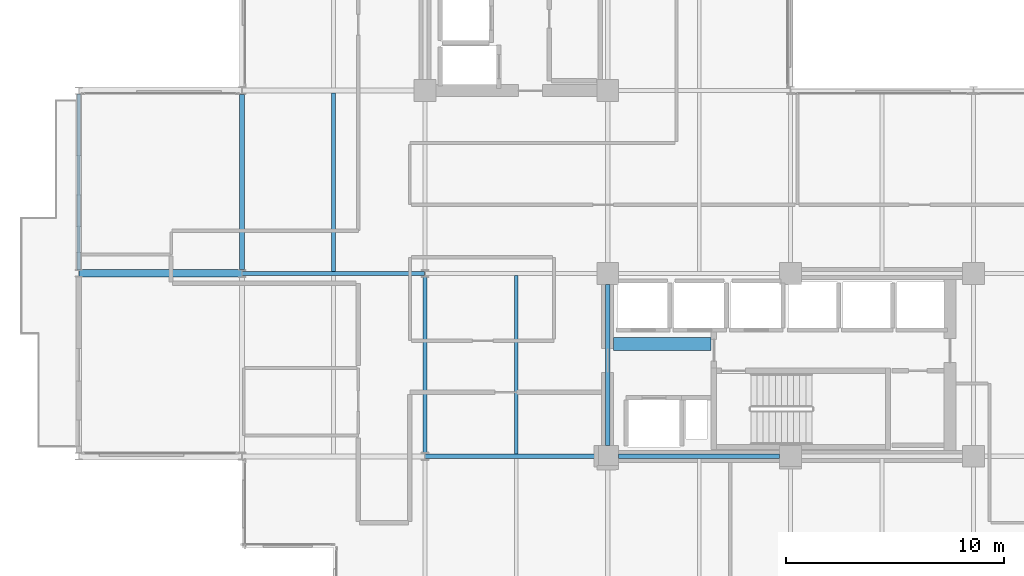
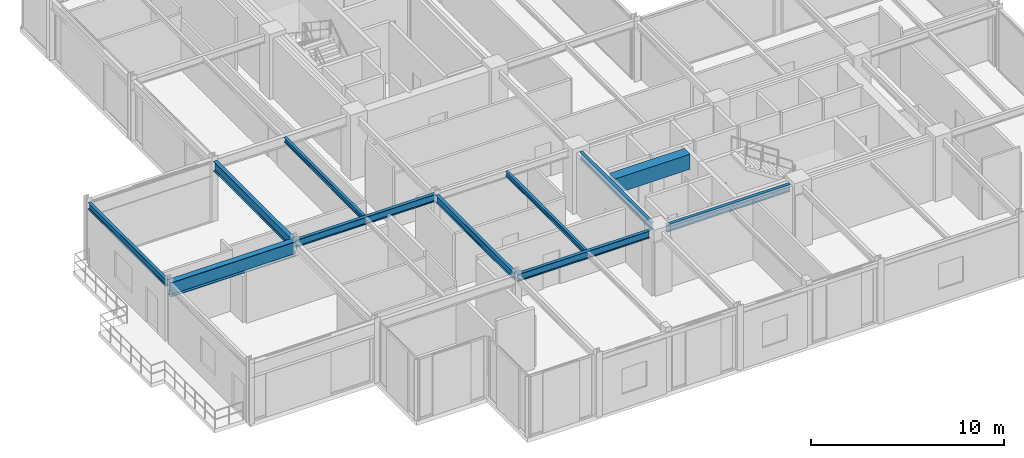
# One storey, part 8 of 29: 11 beams.
"""IFC4 building model written with IfcOpenShell, lengths in metres."""

from ifc_helpers import new_model, si_unit, direction, frame, origin, origin_2d, place, context, subcontext, project, spatial, rectangle, i_section, extrude, material, material_profile, profile_set, type_object, element, save


model = new_model("IFC4")

# Units and contexts
model_context = context("Model", 3, precision=1e-05, world=origin(), true_north=direction((0.0, 1.0)))
body_context = subcontext(model_context, "Body", "Model", "MODEL_VIEW")
ifc_project = project(units=[si_unit("LENGTHUNIT", "METRE"), si_unit("AREAUNIT", "SQUARE_METRE"), si_unit("VOLUMEUNIT", "CUBIC_METRE"), si_unit("PLANEANGLEUNIT", "RADIAN"), si_unit("MASSUNIT", "GRAM", prefix="KILO")], contexts=[model_context])

# Site, building, storey
site_placement = place(None, origin())
site = spatial("IfcSite", under=ifc_project, at=site_placement, CompositionType="ELEMENT")
building_placement = place(site_placement, origin())
building = spatial("IfcBuilding", under=site, at=building_placement, Name="Nerrivon Quay Data Exchange", CompositionType="ELEMENT")
storey_placement = place(building_placement, frame((0.0, 0.0, 196.0)))
storey = spatial("IfcBuildingStorey", under=building, at=storey_placement, Name="L46", CompositionType="ELEMENT", Elevation=196.0)

# Beams
ifc_material_1 = material(Name="Steel Grade 350", Category="steel")
ifc_material_profile_1 = material_profile(ifc_material_1, i_section(OverallWidth=0.35009765625, OverallDepth=0.909912109375, WebThickness=0.011962890625, FlangeThickness=0.02490234375, at=origin_2d()), Name="900WB218")
ifc_profile_set_1 = profile_set([ifc_material_profile_1], Name="Steel Grade 350")
beam_type_1 = type_object("IfcBeamType", Name="BM-CANT-900WB", PredefinedType="USERDEFINED", material=ifc_profile_set_1)
beam_1_placement = place(storey_placement, frame((-0.010009765625, 16.800048828125, 3.3701171875), z_axis=(-1.0, 0.0, 0.0), x_axis=(0.0, -1.0, 0.0)))
element("IfcBeam", 1, at=beam_1_placement, inside=storey, type_object=beam_type_1, Name="L46 West Hooked Cantilever Girder Y=16.8", ObjectType="TRANSFER", PredefinedType="USERDEFINED", context=body_context, shape_type="SweptSolid", body=[
    extrude(i_section(OverallWidth=0.35009765625, OverallDepth=0.909912109375, WebThickness=0.011962890625, FlangeThickness=0.02490234375, at=origin_2d()), origin(), (0.0, 0.0, 1.0), 7.482177734375),
])
ifc_material_2 = material(Name="Concrete N50 (50 MPa)", Category="concrete")
ifc_material_profile_2 = material_profile(ifc_material_2, rectangle(XDim=0.60009765625, YDim=0.949951171875, at=origin_2d()), Name="RC-CB-600x950")
ifc_profile_set_2 = profile_set([ifc_material_profile_2], Name="Concrete N50 (50 MPa)")
beam_type_2 = type_object("IfcBeamType", Name="BM-CB2-600x950", PredefinedType="LINTEL", material=ifc_profile_set_2)
beam_2_placement = place(storey_placement, frame((17.074951171875, 13.550048828125, 3.35009765625), z_axis=(1.0, 0.0, 0.0), x_axis=(0.0, 1.0, 0.0)))
element("IfcBeam", 2, at=beam_2_placement, inside=storey, type_object=beam_type_2, Name="L46 East Core Coupling Beam", PredefinedType="LINTEL", context=body_context, shape_type="SweptSolid", body=[
    extrude(rectangle(XDim=0.60009765625, YDim=0.949951171875, at=origin_2d()), origin(), (0.0, 0.0, 1.0), 4.47998046875),
])
ifc_material_profile_3 = material_profile(ifc_material_1, i_section(OverallWidth=0.22802734375, OverallDepth=0.60205078125, WebThickness=0.010498046875, FlangeThickness=0.014892578125, FilletRadius=0.013916015625, at=origin_2d()), Name="610UB101")
ifc_profile_set_3 = profile_set([ifc_material_profile_3], Name="Steel Grade 350")
beam_type_3 = type_object("IfcBeamType", Name="BM-G2-610UB101", PredefinedType="BEAM", material=ifc_profile_set_3)
beam_3_placement = place(storey_placement, frame((0.0, 16.97509765625, 3.52392578125), z_axis=(0.0, 1.0, 0.0), x_axis=(-1.0, 0.0, 0.0)))
element("IfcBeam", 3, at=beam_3_placement, inside=storey, type_object=beam_type_3, Name="L46 NS Girder X=0.0 (16.8..25.2)", PredefinedType="BEAM", context=body_context, shape_type="SweptSolid", body=[
    extrude(i_section(OverallWidth=0.22802734375, OverallDepth=0.60205078125, WebThickness=0.010498046875, FlangeThickness=0.014892578125, FilletRadius=0.013916015625, at=origin_2d()), origin(), (0.0, 0.0, 1.0), 8.0498046875),
])
ifc_material_profile_4 = material_profile(ifc_material_1, i_section(OverallWidth=0.19091796875, OverallDepth=0.4599609375, WebThickness=0.010009765625, FlangeThickness=0.01611328125, FilletRadius=0.011474609375, at=origin_2d()), Name="460UB82.1")
ifc_profile_set_4 = profile_set([ifc_material_profile_4], Name="Steel Grade 350")
beam_type_4 = type_object("IfcBeamType", Name="BM-G5-460UB82", PredefinedType="BEAM", material=ifc_profile_set_4)
beam_4_placement = place(storey_placement, frame((8.409912109375, 8.39990234375, 3.594970703125), z_axis=(1.0, 0.0, 0.0), x_axis=(0.0, 1.0, 0.0)))
element("IfcBeam", 4, at=beam_4_placement, inside=storey, type_object=beam_type_4, Name="L46 EW Girder Y=8.4 (8.4..16.8)", PredefinedType="BEAM", context=body_context, shape_type="SweptSolid", body=[
    extrude(i_section(OverallWidth=0.19091796875, OverallDepth=0.4599609375, WebThickness=0.010009765625, FlangeThickness=0.01611328125, FilletRadius=0.011474609375, at=origin_2d()), origin(), (0.0, 0.0, 1.0), 7.89013671875),
])
beam_5_placement = place(storey_placement, frame((17.300048828125, 8.39990234375, 3.594970703125), z_axis=(1.0, 0.0, 0.0), x_axis=(0.0, 1.0, 0.0)))
element("IfcBeam", 5, at=beam_5_placement, inside=storey, type_object=beam_type_4, Name="L46 EW Girder Y=8.4 (16.8..25.2)", PredefinedType="BEAM", context=body_context, shape_type="SweptSolid", body=[
    extrude(i_section(OverallWidth=0.19091796875, OverallDepth=0.4599609375, WebThickness=0.010009765625, FlangeThickness=0.01611328125, FilletRadius=0.011474609375, at=origin_2d()), origin(), (0.0, 0.0, 1.0), 7.39990234375),
])
beam_6_placement = place(storey_placement, frame((0.010009765625, 16.800048828125, 3.594970703125), z_axis=(1.0, 0.0, 0.0), x_axis=(0.0, 1.0, 0.0)))
element("IfcBeam", 6, at=beam_6_placement, inside=storey, type_object=beam_type_4, Name="L46 EW Girder Y=16.8 (0.0..8.4)", PredefinedType="BEAM", context=body_context, shape_type="SweptSolid", body=[
    extrude(i_section(OverallWidth=0.19091796875, OverallDepth=0.4599609375, WebThickness=0.010009765625, FlangeThickness=0.01611328125, FilletRadius=0.011474609375, at=origin_2d()), origin(), (0.0, 0.0, 1.0), 8.3798828125),
])
ifc_material_profile_5 = material_profile(ifc_material_1, i_section(OverallWidth=0.18994140625, OverallDepth=0.4541015625, WebThickness=0.008544921875, FlangeThickness=0.0126953125, FilletRadius=0.011474609375, at=origin_2d()), Name="460UB67.1")
ifc_profile_set_5 = profile_set([ifc_material_profile_5], Name="Steel Grade 350")
beam_type_5 = type_object("IfcBeamType", Name="BM-G6-460UB67", PredefinedType="BEAM", material=ifc_profile_set_5)
beam_7_placement = place(storey_placement, frame((8.39990234375, 8.574951171875, 3.597900390625), z_axis=(0.0, 1.0, 0.0), x_axis=(-1.0, 0.0, 0.0)))
element("IfcBeam", 7, at=beam_7_placement, inside=storey, type_object=beam_type_5, Name="L46 NS Girder X=8.4 (8.4..16.8)", PredefinedType="BEAM", context=body_context, shape_type="SweptSolid", body=[
    extrude(i_section(OverallWidth=0.18994140625, OverallDepth=0.4541015625, WebThickness=0.008544921875, FlangeThickness=0.0126953125, FilletRadius=0.011474609375, at=origin_2d()), origin(), (0.0, 0.0, 1.0), 8.050048828125),
])
beam_8_placement = place(storey_placement, frame((16.800048828125, 8.89990234375, 3.597900390625), z_axis=(0.0, 1.0, 0.0), x_axis=(-1.0, 0.0, 0.0)))
element("IfcBeam", 8, at=beam_8_placement, inside=storey, type_object=beam_type_5, Name="L46 NS Girder X=16.8 (8.4..16.8)", PredefinedType="BEAM", context=body_context, shape_type="SweptSolid", body=[
    extrude(i_section(OverallWidth=0.18994140625, OverallDepth=0.4541015625, WebThickness=0.008544921875, FlangeThickness=0.0126953125, FilletRadius=0.011474609375, at=origin_2d()), origin(), (0.0, 0.0, 1.0), 7.400146484375),
])
ifc_material_profile_6 = material_profile(ifc_material_1, i_section(OverallWidth=0.166015625, OverallDepth=0.306884765625, WebThickness=0.006591796875, FlangeThickness=0.01171875, FilletRadius=0.011474609375, at=origin_2d()), Name="310UB46.2")
ifc_profile_set_6 = profile_set([ifc_material_profile_6], Name="Steel Grade 350")
beam_type_6 = type_object("IfcBeamType", Name="BM-J5-310UB46", PredefinedType="JOIST", material=ifc_profile_set_6)
beam_9_placement = place(storey_placement, frame((4.199951171875, 16.8955078125, 3.67138671875), z_axis=(0.0, 1.0, 0.0), x_axis=(-1.0, 0.0, 0.0)))
element("IfcBeam", 9, at=beam_9_placement, inside=storey, type_object=beam_type_6, Name="L46 Secondary Joist X=4.2 (16.8..25.2)", PredefinedType="JOIST", context=body_context, shape_type="SweptSolid", body=[
    extrude(i_section(OverallWidth=0.166015625, OverallDepth=0.306884765625, WebThickness=0.006591796875, FlangeThickness=0.01171875, FilletRadius=0.011474609375, at=origin_2d()), origin(), (0.0, 0.0, 1.0), 8.18994140625),
])
beam_10_placement = place(storey_placement, frame((12.60009765625, 8.49560546875, 3.67138671875), z_axis=(0.0, 1.0, 0.0), x_axis=(-1.0, 0.0, 0.0)))
element("IfcBeam", 10, at=beam_10_placement, inside=storey, type_object=beam_type_6, Name="L46 Secondary Joist X=12.6 (8.4..16.8)", PredefinedType="JOIST", context=body_context, shape_type="SweptSolid", body=[
    extrude(i_section(OverallWidth=0.166015625, OverallDepth=0.306884765625, WebThickness=0.006591796875, FlangeThickness=0.01171875, FilletRadius=0.011474609375, at=origin_2d()), origin(), (0.0, 0.0, 1.0), 8.208984375),
])
ifc_material_profile_7 = material_profile(ifc_material_1, i_section(OverallWidth=0.177978515625, OverallDepth=0.403076171875, WebThickness=0.007568359375, FlangeThickness=0.010986328125, FilletRadius=0.011474609375, at=origin_2d()), Name="410UB53.7")
ifc_profile_set_7 = profile_set([ifc_material_profile_7], Name="Steel Grade 350")
beam_type_7 = type_object("IfcBeamType", Name="BM-SP2-410UB54", PredefinedType="SPANDREL", material=ifc_profile_set_7)
beam_11_placement = place(storey_placement, frame((-7.5, 16.96337890625, 3.62353515625), z_axis=(0.0, 1.0, 0.0), x_axis=(-1.0, 0.0, 0.0)))
element("IfcBeam", 11, at=beam_11_placement, inside=storey, type_object=beam_type_7, Name="L46 West Hooked Edge Spandrel", PredefinedType="SPANDREL", context=body_context, shape_type="SweptSolid", body=[
    extrude(i_section(OverallWidth=0.177978515625, OverallDepth=0.403076171875, WebThickness=0.007568359375, FlangeThickness=0.010986328125, FilletRadius=0.011474609375, at=origin_2d()), origin(), (0.0, 0.0, 1.0), 8.0732421875),
])

save(model, "model.ifc")
